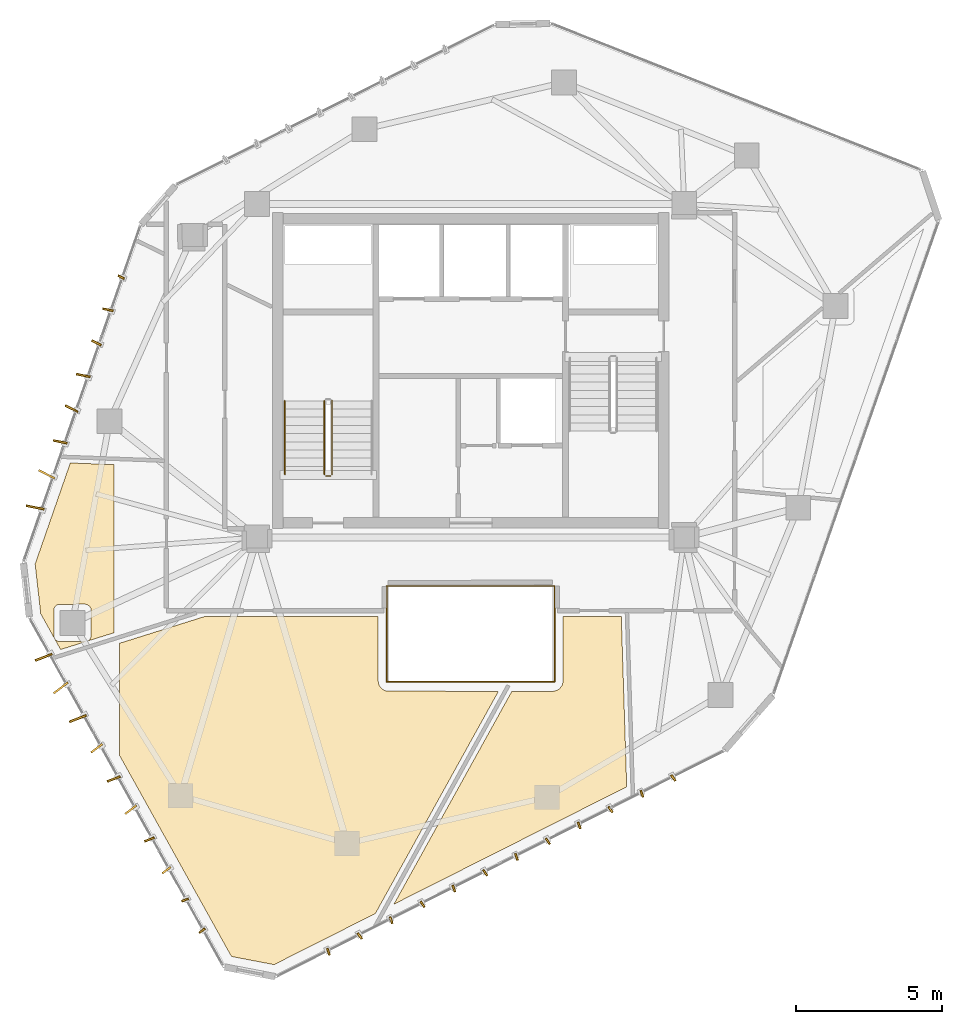
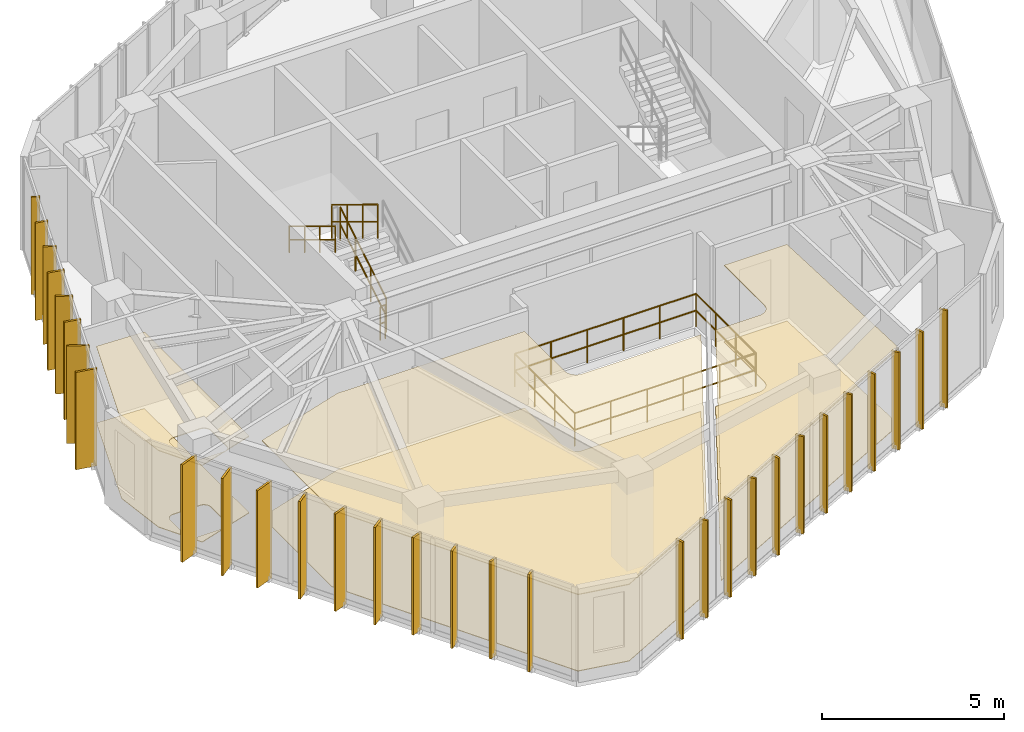
# One storey, part 20 of 21: 30 shading devices, 8 railings, 6 coverings.
"""IFC4 building model written with IfcOpenShell, lengths in metres."""

from ifc_helpers import new_model, si_unit, direction, frame, origin, origin_2d, place, context, subcontext, project, spatial, polyline, rectangle, circle, outline, extrude, source, transform, mapped, material, layer, layer_set, type_object, type_shapes, element, save


model = new_model("IFC4")

# Units and contexts
model_context = context("Model", 3, precision=1e-05, world=origin(), true_north=direction((0.0, 1.0)))
body_context = subcontext(model_context, "Body", "Model", "MODEL_VIEW")
ifc_project = project(units=[si_unit("LENGTHUNIT", "METRE"), si_unit("AREAUNIT", "SQUARE_METRE"), si_unit("VOLUMEUNIT", "CUBIC_METRE"), si_unit("PLANEANGLEUNIT", "RADIAN"), si_unit("MASSUNIT", "GRAM", prefix="KILO")], contexts=[model_context])

# Site, building, storey
site_placement = place(None, origin())
site = spatial("IfcSite", under=ifc_project, at=site_placement, CompositionType="ELEMENT")
building_placement = place(site_placement, origin())
building = spatial("IfcBuilding", under=site, at=building_placement, Name="Talar Marvaseh", CompositionType="ELEMENT")
storey_placement = place(building_placement, frame((0.0, 0.0, 264.60009765625)))
storey = spatial("IfcBuildingStorey", under=building, at=storey_placement, Name="L70", CompositionType="ELEMENT", Elevation=264.60009765625)

# Railings
ifc_material_1 = material(Name="Stainless Steel Grade 316", Category="steel")
railing_type_1 = type_object("IfcRailingType", Name="Brushed Stainless Wall Pitch Handrail 900", PredefinedType="HANDRAIL", material=ifc_material_1)
railing_1_placement = place(storey_placement, frame((19.64990234375, 30.169921875, 1.869873046875)))
element("IfcRailing", 1, at=railing_1_placement, inside=storey, type_object=railing_type_1, Name="L70 ST-1 stair handrail 2", PredefinedType="HANDRAIL", context=body_context, shape_type="SweptSolid", body=[
    extrude(circle(Radius=0.02392578125, at=origin_2d()), frame((0.0, 0.0, 0.8759765625), z_axis=(0.0, -0.85478489116, 0.518982456201), x_axis=(1.0, 0.0, 0.0)), (0.0, 0.0, 1.0), 2.9482421875),
    extrude(circle(Radius=0.02392578125, at=origin_2d()), frame((0.0, 0.0, 0.42578125), z_axis=(0.0, -0.85478489116, 0.518982456201), x_axis=(1.0, 0.0, 0.0)), (0.0, 0.0, 1.0), 2.9482421875),
    extrude(circle(Radius=0.02099609375, at=origin_2d()), origin(), (0.0, 0.0, 1.0), 0.851806640625),
    extrude(circle(Radius=0.02099609375, at=origin_2d()), frame((0.0, -0.840087890625, 0.510009765625)), (0.0, 0.0, 1.0), 0.851806640625),
    extrude(circle(Radius=0.02099609375, at=origin_2d()), frame((0.0, -1.679931640625, 1.02001953125)), (0.0, 0.0, 1.0), 0.851806640625),
    extrude(circle(Radius=0.02099609375, at=origin_2d()), frame((0.0, -2.52001953125, 1.530029296875)), (0.0, 0.0, 1.0), 0.851806640625),
])
ifc_material_2 = material(Name="Tempered Clear Glass", Category="glass")
railing_type_2 = type_object("IfcRailingType", Name="Interior Atrium Edge Balustrade 1120", PredefinedType="BALUSTRADE", material=ifc_material_2)
railing_2_placement = place(storey_placement, frame((23.130615234375, 20.560302734375, 0.0)))
element("IfcRailing", 2, at=railing_2_placement, inside=storey, type_object=railing_type_2, Name="L70 Internal Daylight Atrium Balustrade 1", PredefinedType="BALUSTRADE", context=body_context, shape_type="SweptSolid", body=[
    extrude(circle(Radius=0.02392578125, at=origin_2d()), frame((0.0, 0.0, 1.09619140625), z_axis=(1.0, 0.0, 0.0), x_axis=(0.0, 1.0, 0.0)), (0.0, 0.0, 1.0), 5.73876953125),
    extrude(circle(Radius=0.02392578125, at=origin_2d()), frame((0.0, 0.0, 0.5361328125), z_axis=(1.0, 0.0, 0.0), x_axis=(0.0, 1.0, 0.0)), (0.0, 0.0, 1.0), 5.73876953125),
    extrude(circle(Radius=0.02099609375, at=origin_2d()), origin(), (0.0, 0.0, 1.0), 1.072021484375),
    extrude(circle(Radius=0.02099609375, at=origin_2d()), frame((1.147705078125, 0.0, 0.0)), (0.0, 0.0, 1.0), 1.072021484375),
    extrude(circle(Radius=0.02099609375, at=origin_2d()), frame((2.29541015625, 0.0, 0.0)), (0.0, 0.0, 1.0), 1.072021484375),
    extrude(circle(Radius=0.02099609375, at=origin_2d()), frame((3.443359375, 0.0, 0.0)), (0.0, 0.0, 1.0), 1.072021484375),
    extrude(circle(Radius=0.02099609375, at=origin_2d()), frame((4.591064453125, 0.0, 0.0)), (0.0, 0.0, 1.0), 1.072021484375),
    extrude(circle(Radius=0.02099609375, at=origin_2d()), frame((5.73876953125, 0.0, 0.0)), (0.0, 0.0, 1.0), 1.072021484375),
])
railing_3_placement = place(storey_placement, frame((28.869384765625, 20.560302734375, 0.0)))
element("IfcRailing", 3, at=railing_3_placement, inside=storey, type_object=railing_type_2, Name="L70 Internal Daylight Atrium Balustrade 2", PredefinedType="BALUSTRADE", context=body_context, shape_type="SweptSolid", body=[
    extrude(circle(Radius=0.02392578125, at=origin_2d()), frame((0.0, 0.0, 1.09619140625), z_axis=(0.0, 1.0, 0.0), x_axis=(-1.0, 0.0, 0.0)), (0.0, 0.0, 1.0), 3.279296875),
    extrude(circle(Radius=0.02392578125, at=origin_2d()), frame((0.0, 0.0, 0.5361328125), z_axis=(0.0, 1.0, 0.0), x_axis=(-1.0, 0.0, 0.0)), (0.0, 0.0, 1.0), 3.279296875),
    extrude(circle(Radius=0.02099609375, at=origin_2d()), origin(), (0.0, 0.0, 1.0), 1.072021484375),
    extrude(circle(Radius=0.02099609375, at=origin_2d()), frame((0.0, 1.093017578125, 0.0)), (0.0, 0.0, 1.0), 1.072021484375),
    extrude(circle(Radius=0.02099609375, at=origin_2d()), frame((0.0, 2.186279296875, 0.0)), (0.0, 0.0, 1.0), 1.072021484375),
    extrude(circle(Radius=0.02099609375, at=origin_2d()), frame((0.0, 3.279296875, 0.0)), (0.0, 0.0, 1.0), 1.072021484375),
])
railing_4_placement = place(storey_placement, frame((28.869384765625, 23.839599609375, 0.0)))
element("IfcRailing", 4, at=railing_4_placement, inside=storey, type_object=railing_type_2, Name="L70 Internal Daylight Atrium Balustrade 3", PredefinedType="BALUSTRADE", context=body_context, shape_type="SweptSolid", body=[
    extrude(circle(Radius=0.02392578125, at=origin_2d()), frame((0.0, 0.0, 1.09619140625), z_axis=(-1.0, 0.0, 0.0), x_axis=(0.0, -1.0, 0.0)), (0.0, 0.0, 1.0), 5.73876953125),
    extrude(circle(Radius=0.02392578125, at=origin_2d()), frame((0.0, 0.0, 0.5361328125), z_axis=(-1.0, 0.0, 0.0), x_axis=(0.0, -1.0, 0.0)), (0.0, 0.0, 1.0), 5.73876953125),
    extrude(circle(Radius=0.02099609375, at=origin_2d()), origin(), (0.0, 0.0, 1.0), 1.072021484375),
    extrude(circle(Radius=0.02099609375, at=origin_2d()), frame((-1.147705078125, 0.0, 0.0)), (0.0, 0.0, 1.0), 1.072021484375),
    extrude(circle(Radius=0.02099609375, at=origin_2d()), frame((-2.29541015625, 0.0, 0.0)), (0.0, 0.0, 1.0), 1.072021484375),
    extrude(circle(Radius=0.02099609375, at=origin_2d()), frame((-3.443359375, 0.0, 0.0)), (0.0, 0.0, 1.0), 1.072021484375),
    extrude(circle(Radius=0.02099609375, at=origin_2d()), frame((-4.591064453125, 0.0, 0.0)), (0.0, 0.0, 1.0), 1.072021484375),
    extrude(circle(Radius=0.02099609375, at=origin_2d()), frame((-5.73876953125, 0.0, 0.0)), (0.0, 0.0, 1.0), 1.072021484375),
])
railing_5_placement = place(storey_placement, frame((23.130615234375, 23.839599609375, 0.0)))
element("IfcRailing", 5, at=railing_5_placement, inside=storey, type_object=railing_type_2, Name="L70 Internal Daylight Atrium Balustrade 4", PredefinedType="BALUSTRADE", context=body_context, shape_type="SweptSolid", body=[
    extrude(circle(Radius=0.02392578125, at=origin_2d()), frame((0.0, 0.0, 1.09619140625), z_axis=(0.0, -1.0, 0.0), x_axis=(1.0, 0.0, 0.0)), (0.0, 0.0, 1.0), 3.279296875),
    extrude(circle(Radius=0.02392578125, at=origin_2d()), frame((0.0, 0.0, 0.5361328125), z_axis=(0.0, -1.0, 0.0), x_axis=(1.0, 0.0, 0.0)), (0.0, 0.0, 1.0), 3.279296875),
    extrude(circle(Radius=0.02099609375, at=origin_2d()), origin(), (0.0, 0.0, 1.0), 1.072021484375),
    extrude(circle(Radius=0.02099609375, at=origin_2d()), frame((0.0, -1.093017578125, 0.0)), (0.0, 0.0, 1.0), 1.072021484375),
    extrude(circle(Radius=0.02099609375, at=origin_2d()), frame((0.0, -2.186279296875, 0.0)), (0.0, 0.0, 1.0), 1.072021484375),
    extrude(circle(Radius=0.02099609375, at=origin_2d()), frame((0.0, -3.279296875, 0.0)), (0.0, 0.0, 1.0), 1.072021484375),
])
railing_type_3 = type_object("IfcRailingType", Name="Painted Steel Core Stair Well Guardrail 1150", PredefinedType="GUARDRAIL", material=ifc_material_1)
railing_6_placement = place(storey_placement, frame((21.260009765625, 27.64990234375, 0.169921875)))
element("IfcRailing", 6, at=railing_6_placement, inside=storey, type_object=railing_type_3, Name="L70 ST-1 stair guard 1", PredefinedType="GUARDRAIL", context=body_context, shape_type="SweptSolid", body=[
    extrude(circle(Radius=0.02392578125, at=origin_2d()), frame((0.0, 0.0, 1.1259765625), z_axis=(0.0, 0.85478489116, 0.518982456201), x_axis=(-1.0, 0.0, 0.0)), (0.0, 0.0, 1.0), 2.9482421875),
    extrude(circle(Radius=0.02392578125, at=origin_2d()), frame((0.0, 0.0, 0.55078125), z_axis=(0.0, 0.85478489116, 0.518982456201), x_axis=(-1.0, 0.0, 0.0)), (0.0, 0.0, 1.0), 2.9482421875),
    extrude(circle(Radius=0.02099609375, at=origin_2d()), origin(), (0.0, 0.0, 1.0), 1.101806640625),
    extrude(circle(Radius=0.02099609375, at=origin_2d()), frame((0.0, 0.840087890625, 0.510009765625)), (0.0, 0.0, 1.0), 1.101806640625),
    extrude(circle(Radius=0.02099609375, at=origin_2d()), frame((0.0, 1.679931640625, 1.02001953125)), (0.0, 0.0, 1.0), 1.101806640625),
    extrude(circle(Radius=0.02099609375, at=origin_2d()), frame((0.0, 2.52001953125, 1.530029296875)), (0.0, 0.0, 1.0), 1.101806640625),
])
railing_7_placement = place(storey_placement, frame((21.0, 30.169921875, 1.869873046875)))
element("IfcRailing", 7, at=railing_7_placement, inside=storey, type_object=railing_type_3, Name="L70 ST-1 stair guard 3", PredefinedType="GUARDRAIL", context=body_context, shape_type="SweptSolid", body=[
    extrude(circle(Radius=0.02392578125, at=origin_2d()), frame((0.0, 0.0, 1.1259765625), z_axis=(0.0, -0.85478489116, 0.518982456201), x_axis=(1.0, 0.0, 0.0)), (0.0, 0.0, 1.0), 2.9482421875),
    extrude(circle(Radius=0.02392578125, at=origin_2d()), frame((0.0, 0.0, 0.55078125), z_axis=(0.0, -0.85478489116, 0.518982456201), x_axis=(1.0, 0.0, 0.0)), (0.0, 0.0, 1.0), 2.9482421875),
    extrude(circle(Radius=0.02099609375, at=origin_2d()), origin(), (0.0, 0.0, 1.0), 1.101806640625),
    extrude(circle(Radius=0.02099609375, at=origin_2d()), frame((0.0, -0.840087890625, 0.510009765625)), (0.0, 0.0, 1.0), 1.101806640625),
    extrude(circle(Radius=0.02099609375, at=origin_2d()), frame((0.0, -1.679931640625, 1.02001953125)), (0.0, 0.0, 1.0), 1.101806640625),
    extrude(circle(Radius=0.02099609375, at=origin_2d()), frame((0.0, -2.52001953125, 1.530029296875)), (0.0, 0.0, 1.0), 1.101806640625),
])
railing_8_placement = place(storey_placement, frame((21.2099609375, 27.60009765625, 0.0)))
element("IfcRailing", 8, at=railing_8_placement, inside=storey, type_object=railing_type_3, Name="L70 ST-1 stair guard 4", PredefinedType="GUARDRAIL", context=body_context, shape_type="SweptSolid", body=[
    extrude(circle(Radius=0.02392578125, at=origin_2d()), frame((0.0, 0.0, 1.1259765625), z_axis=(-1.0, 0.0, 0.0), x_axis=(0.0, -1.0, 0.0)), (0.0, 0.0, 1.0), 0.159912109375),
    extrude(circle(Radius=0.02392578125, at=origin_2d()), frame((0.0, 0.0, 0.55078125), z_axis=(-1.0, 0.0, 0.0), x_axis=(0.0, -1.0, 0.0)), (0.0, 0.0, 1.0), 0.159912109375),
    extrude(circle(Radius=0.02099609375, at=origin_2d()), origin(), (0.0, 0.0, 1.0), 1.101806640625),
    extrude(circle(Radius=0.02099609375, at=origin_2d()), frame((-0.159912109375, 0.0, 0.0)), (0.0, 0.0, 1.0), 1.101806640625),
])

# Coverings
ifc_material_3 = material(Name="Mineral Fibre Acoustic Ceiling")
ifc_layer_1 = layer(ifc_material_3, 0.02490234375)
ifc_layer_set_1 = layer_set([ifc_layer_1], Name="Mineral Fibre Acoustic Ceiling")
covering_type_1 = type_object("IfcCoveringType", Name="Perforated Mineral Fibre Acoustic Suspended Ceiling", PredefinedType="CEILING", material=ifc_layer_set_1)
covering_1_placement = place(storey_placement, frame((0.0, 0.0, 2.559814453125)))
element("IfcCovering", 9, at=covering_1_placement, inside=storey, type_object=covering_type_1, Name="L70 Museum Publication Bookshop Acoustic Ceiling", PredefinedType="CEILING", context=body_context, shape_type="SweptSolid", body=[
    extrude(outline(polyline([(13.800048828125, 27.9873046875), (13.800048828125, 22.238525390625), (12.886962890625, 21.951416015625), (12.90087890625, 21.95654296875), (12.918701171875, 21.96484375), (12.935302734375, 21.974853515625), (12.951171875, 21.986572265625), (12.9658203125, 21.99951171875), (12.978759765625, 22.01416015625), (12.990478515625, 22.02978515625), (13.000732421875, 22.04638671875), (13.009033203125, 22.064208984375), (13.015869140625, 22.08251953125), (13.0205078125, 22.1015625), (13.0234375, 22.120849609375), (13.024658203125, 22.140380859375), (13.02880859375, 23.00244140625), (13.028076171875, 23.02099609375), (13.025634765625, 23.03955078125), (13.021484375, 23.057861328125), (13.015380859375, 23.075439453125), (13.008056640625, 23.092529296875), (12.998779296875, 23.10888671875), (12.98828125, 23.124267578125), (12.976318359375, 23.138671875), (12.963134765625, 23.151611328125), (12.9482421875, 23.165283203125), (12.93408203125, 23.177001953125), (12.918701171875, 23.1875), (12.902587890625, 23.1962890625), (12.885498046875, 23.203857421875), (12.867919921875, 23.209716796875), (12.849853515625, 23.2138671875), (12.83154296875, 23.21630859375), (12.81298828125, 23.217041015625), (11.952392578125, 23.212646484375), (11.932861328125, 23.21142578125), (11.91357421875, 23.20849609375), (11.89453125, 23.20361328125), (11.876220703125, 23.197021484375), (11.8583984375, 23.188720703125), (11.841796875, 23.178466796875), (11.826171875, 23.166748046875), (11.8115234375, 23.15380859375), (11.798583984375, 23.13916015625), (11.786865234375, 23.123291015625), (11.77685546875, 23.106689453125), (11.7685546875, 23.0888671875), (11.761962890625, 23.070556640625), (11.757080078125, 23.051513671875), (11.75439453125, 23.031982421875), (11.75341796875, 23.0126953125), (11.75341796875, 22.141357421875), (11.75439453125, 22.121826171875), (11.757080078125, 22.102294921875), (11.761962890625, 22.083251953125), (11.7685546875, 22.06494140625), (11.777099609375, 22.047119140625), (11.787109375, 22.0302734375), (11.798828125, 22.014404296875), (11.81201171875, 22.0), (11.826416015625, 21.98681640625), (11.84228515625, 21.97509765625), (11.859130859375, 21.965087890625), (11.876953125, 21.95654296875), (11.895263671875, 21.949951171875), (11.914306640625, 21.9453125), (11.933837890625, 21.9423828125), (11.953369140625, 21.94140625), (12.82470703125, 21.94140625), (12.843994140625, 21.9423828125), (12.863525390625, 21.9453125), (12.879638671875, 21.94921875), (11.9833984375, 21.66748046875), (11.302734375, 22.890625), (11.11279296875, 24.591064453125), (12.314697265625, 28.0458984375), (13.800048828125, 27.9873046875)])), origin(), (0.0, 0.0, 1.0), 0.025146484375),
])
covering_2_placement = place(storey_placement, frame((0.0, 0.0, 2.559814453125)))
element("IfcCovering", 10, at=covering_2_placement, inside=storey, type_object=covering_type_1, Name="L70 Curatorial Staff Control Room Acoustic Ceiling", PredefinedType="CEILING", context=body_context, shape_type="SweptSolid", body=[
    extrude(outline(polyline([(22.840087890625, 22.800048828125), (22.8408203125, 20.584228515625), (22.84228515625, 20.559814453125), (22.8466796875, 20.53564453125), (22.858154296875, 20.490234375), (22.863037109375, 20.4736328125), (22.869384765625, 20.457763671875), (22.876953125, 20.4423828125), (22.885986328125, 20.427490234375), (22.920654296875, 20.375732421875), (22.934326171875, 20.357421875), (22.9501953125, 20.341064453125), (22.9677734375, 20.326416015625), (23.00537109375, 20.29833984375), (23.021728515625, 20.287353515625), (23.0390625, 20.278076171875), (23.057373046875, 20.2705078125), (23.1015625, 20.2548828125), (23.123291015625, 20.248291015625), (23.14599609375, 20.244384765625), (23.168701171875, 20.2431640625), (26.950439453125, 20.240234375), (22.7421875, 12.642333984375), (19.27978515625, 10.896484375), (17.822509765625, 11.175048828125), (14.0, 18.0439453125), (14.0, 21.882080078125), (16.9189453125, 22.800048828125), (22.840087890625, 22.800048828125)])), origin(), (0.0, 0.0, 1.0), 0.025146484375),
])
covering_3_placement = place(storey_placement, frame((0.0, 0.0, 2.559814453125)))
element("IfcCovering", 11, at=covering_3_placement, inside=storey, type_object=covering_type_1, Name="L70 Artisan Craft Showroom Acoustic Ceiling", PredefinedType="CEILING", context=body_context, shape_type="SweptSolid", body=[
    extrude(outline(polyline([(28.838623046875, 20.2421875), (28.861083984375, 20.24609375), (28.883056640625, 20.25244140625), (28.956298828125, 20.27880859375), (28.974365234375, 20.2861328125), (28.99169921875, 20.29541015625), (29.008056640625, 20.306396484375), (29.023193359375, 20.31884765625), (29.037109375, 20.332763671875), (29.08935546875, 20.390380859375), (29.101806640625, 20.405517578125), (29.112548828125, 20.421875), (29.121826171875, 20.439208984375), (29.12939453125, 20.457275390625), (29.135009765625, 20.47607421875), (29.154052734375, 20.551513671875), (29.1572265625, 20.5673828125), (29.1591796875, 20.58349609375), (29.159912109375, 20.60009765625), (29.159912109375, 22.800048828125), (31.14892578125, 22.800048828125), (31.333984375, 16.974609375), (23.376708984375, 12.96240234375), (27.40771484375, 20.239990234375), (28.81591796875, 20.24072265625), (28.838623046875, 20.2421875)])), origin(), (0.0, 0.0, 1.0), 0.025146484375),
])
ifc_material_4 = material(Name="Porcelain Stoneware Tile", Category="masonry")
ifc_layer_2 = layer(ifc_material_4, 0.02001953125)
ifc_layer_set_2 = layer_set([ifc_layer_2], Name="Porcelain Stoneware Tile")
covering_type_2 = type_object("IfcCoveringType", Name="Polished Porcelain Stoneware Gallery Flooring", PredefinedType="FLOORING", material=ifc_layer_set_2)
covering_4_placement = place(storey_placement, origin())
element("IfcCovering", 12, at=covering_4_placement, inside=storey, type_object=covering_type_2, Name="L70 Museum Publication Bookshop Flooring", PredefinedType="FLOORING", context=body_context, shape_type="SweptSolid", body=[
    extrude(outline(polyline([(13.800048828125, 27.9873046875), (13.800048828125, 22.238525390625), (12.886962890625, 21.951416015625), (12.90087890625, 21.95654296875), (12.918701171875, 21.96484375), (12.935302734375, 21.974853515625), (12.951171875, 21.986572265625), (12.9658203125, 21.99951171875), (12.978759765625, 22.01416015625), (12.990478515625, 22.02978515625), (13.000732421875, 22.04638671875), (13.009033203125, 22.064208984375), (13.015869140625, 22.08251953125), (13.0205078125, 22.1015625), (13.0234375, 22.120849609375), (13.024658203125, 22.140380859375), (13.02880859375, 23.00244140625), (13.028076171875, 23.02099609375), (13.025634765625, 23.03955078125), (13.021484375, 23.057861328125), (13.015380859375, 23.075439453125), (13.008056640625, 23.092529296875), (12.998779296875, 23.10888671875), (12.98828125, 23.124267578125), (12.976318359375, 23.138671875), (12.963134765625, 23.151611328125), (12.9482421875, 23.165283203125), (12.93408203125, 23.177001953125), (12.918701171875, 23.1875), (12.902587890625, 23.1962890625), (12.885498046875, 23.203857421875), (12.867919921875, 23.209716796875), (12.849853515625, 23.2138671875), (12.83154296875, 23.21630859375), (12.81298828125, 23.217041015625), (11.952392578125, 23.212646484375), (11.932861328125, 23.21142578125), (11.91357421875, 23.20849609375), (11.89453125, 23.20361328125), (11.876220703125, 23.197021484375), (11.8583984375, 23.188720703125), (11.841796875, 23.178466796875), (11.826171875, 23.166748046875), (11.8115234375, 23.15380859375), (11.798583984375, 23.13916015625), (11.786865234375, 23.123291015625), (11.77685546875, 23.106689453125), (11.7685546875, 23.0888671875), (11.761962890625, 23.070556640625), (11.757080078125, 23.051513671875), (11.75439453125, 23.031982421875), (11.75341796875, 23.0126953125), (11.75341796875, 22.141357421875), (11.75439453125, 22.121826171875), (11.757080078125, 22.102294921875), (11.761962890625, 22.083251953125), (11.7685546875, 22.06494140625), (11.777099609375, 22.047119140625), (11.787109375, 22.0302734375), (11.798828125, 22.014404296875), (11.81201171875, 22.0), (11.826416015625, 21.98681640625), (11.84228515625, 21.97509765625), (11.859130859375, 21.965087890625), (11.876953125, 21.95654296875), (11.895263671875, 21.949951171875), (11.914306640625, 21.9453125), (11.933837890625, 21.9423828125), (11.953369140625, 21.94140625), (12.82470703125, 21.94140625), (12.843994140625, 21.9423828125), (12.863525390625, 21.9453125), (12.879638671875, 21.94921875), (11.9833984375, 21.66748046875), (11.302734375, 22.890625), (11.11279296875, 24.591064453125), (12.314697265625, 28.0458984375), (13.800048828125, 27.9873046875)])), origin(), (0.0, 0.0, 1.0), 0.02001953125),
])
covering_5_placement = place(storey_placement, origin())
element("IfcCovering", 13, at=covering_5_placement, inside=storey, type_object=covering_type_2, Name="L70 Curatorial Staff Control Room Flooring", PredefinedType="FLOORING", context=body_context, shape_type="SweptSolid", body=[
    extrude(outline(polyline([(22.840087890625, 22.800048828125), (22.8408203125, 20.584228515625), (22.84228515625, 20.559814453125), (22.8466796875, 20.53564453125), (22.858154296875, 20.490234375), (22.863037109375, 20.4736328125), (22.869384765625, 20.457763671875), (22.876953125, 20.4423828125), (22.885986328125, 20.427490234375), (22.920654296875, 20.375732421875), (22.934326171875, 20.357421875), (22.9501953125, 20.341064453125), (22.9677734375, 20.326416015625), (23.00537109375, 20.29833984375), (23.021728515625, 20.287353515625), (23.0390625, 20.278076171875), (23.057373046875, 20.2705078125), (23.1015625, 20.2548828125), (23.123291015625, 20.248291015625), (23.14599609375, 20.244384765625), (23.168701171875, 20.2431640625), (26.950439453125, 20.240234375), (22.7421875, 12.642333984375), (19.27978515625, 10.896484375), (17.822509765625, 11.175048828125), (14.0, 18.0439453125), (14.0, 21.882080078125), (16.9189453125, 22.800048828125), (22.840087890625, 22.800048828125)])), origin(), (0.0, 0.0, 1.0), 0.02001953125),
])
covering_6_placement = place(storey_placement, origin())
element("IfcCovering", 14, at=covering_6_placement, inside=storey, type_object=covering_type_2, Name="L70 Artisan Craft Showroom Flooring", PredefinedType="FLOORING", context=body_context, shape_type="SweptSolid", body=[
    extrude(outline(polyline([(28.838623046875, 20.2421875), (28.861083984375, 20.24609375), (28.883056640625, 20.25244140625), (28.956298828125, 20.27880859375), (28.974365234375, 20.2861328125), (28.99169921875, 20.29541015625), (29.008056640625, 20.306396484375), (29.023193359375, 20.31884765625), (29.037109375, 20.332763671875), (29.08935546875, 20.390380859375), (29.101806640625, 20.405517578125), (29.112548828125, 20.421875), (29.121826171875, 20.439208984375), (29.12939453125, 20.457275390625), (29.135009765625, 20.47607421875), (29.154052734375, 20.551513671875), (29.1572265625, 20.5673828125), (29.1591796875, 20.58349609375), (29.159912109375, 20.60009765625), (29.159912109375, 22.800048828125), (31.14892578125, 22.800048828125), (31.333984375, 16.974609375), (23.376708984375, 12.96240234375), (27.40771484375, 20.239990234375), (28.81591796875, 20.24072265625), (28.838623046875, 20.2421875)])), origin(), (0.0, 0.0, 1.0), 0.02001953125),
])

# Shading devices
ifc_material_5 = material(Name="Anodised Champagne Bronze Aluminium", Category="aluminium")
ifc_layer_3 = layer(ifc_material_5, 0.06494140625)
ifc_layer_set_3 = layer_set([ifc_layer_3], Name="Anodised Champagne Bronze Aluminium")
shading_device_type_1 = type_object("IfcShadingDeviceType", Name="Sawtooth Champagne Bronze Vertical Fin 240", PredefinedType="USERDEFINED", material=ifc_layer_set_3)
shared_shape_1 = source(origin(), body_context, "Body", "SweptSolid", [
    extrude(rectangle(XDim=0.239990234375, YDim=0.06494140625, at=origin_2d()), origin(), (0.0, 0.0, 1.0), 3.260009765625),
])
type_shapes(shading_device_type_1, [shared_shape_1])
for number, where, z_axis, x_axis, name in (
    (15, (16.82177734375, 12.058349609375, -0.1201171875), (0.0, 0.0, 1.0), (-0.797583928825, -0.603207987745, 0.0), "L70 Sawtooth Vertical Solar Fin"),
    (16, (16.23828125, 13.10693359375, -0.1201171875), (0.0, 0.0, 1.0), (-0.932953534825, -0.35999680812, 0.0), "L70 Sawtooth Vertical Solar Fin"),
    (17, (14.052490234375, 34.3955078125, -0.1201171875), (0.0, 0.0, 1.0), (-0.889575876378, 0.456787434334, 0.0), "L70 Sawtooth Vertical Solar Fin"),
    (18, (32.92431640625, 17.2783203125, -0.1201171875), (0.0, 0.0, 1.0), (0.570140158358, -0.821547442226, 0.0), "L70 Sawtooth Vertical Solar Fin"),
    (19, (31.852783203125, 16.738037109375, -0.1201171875), (0.0, 0.0, 1.0), (0.321604730892, -0.946874013303, 0.0), "L70 Sawtooth Vertical Solar Fin"),
    (20, (30.781494140625, 16.19775390625, -0.1201171875), (0.0, 0.0, 1.0), (0.570140158358, -0.821547442226, 0.0), "L70 Sawtooth Vertical Solar Fin"),
    (21, (29.7099609375, 15.657470703125, -0.1201171875), (0.0, 0.0, 1.0), (0.321604730892, -0.946874013303, 0.0), "L70 Sawtooth Vertical Solar Fin"),
    (22, (28.638427734375, 15.1171875, -0.1201171875), (0.0, 0.0, 1.0), (0.570140158358, -0.821547442226, 0.0), "L70 Sawtooth Vertical Solar Fin"),
    (23, (27.56689453125, 14.576904296875, -0.1201171875), (0.0, 0.0, 1.0), (0.321604730892, -0.946874013303, 0.0), "L70 Sawtooth Vertical Solar Fin"),
    (24, (26.49560546875, 14.03662109375, -0.1201171875), (0.0, 0.0, 1.0), (0.570140158358, -0.821547442226, 0.0), "L70 Sawtooth Vertical Solar Fin"),
    (25, (25.424072265625, 13.496337890625, -0.1201171875), (0.0, 0.0, 1.0), (0.321604730892, -0.946874013303, 0.0), "L70 Sawtooth Vertical Solar Fin"),
    (26, (24.3525390625, 12.9560546875, -0.1201171875), (0.0, 0.0, 1.0), (0.570140158358, -0.821547442226, 0.0), "L70 Sawtooth Vertical Solar Fin"),
    (27, (23.281005859375, 12.415771484375, -0.1201171875), (0.0, 0.0, 1.0), (0.321604730892, -0.946874013303, 0.0), "L70 Sawtooth Vertical Solar Fin"),
    (28, (22.20947265625, 11.87548828125, -0.1201171875), (0.0, 0.0, 1.0), (0.570140158358, -0.821547442226, 0.0), "L70 Sawtooth Vertical Solar Fin"),
    (29, (21.137939453125, 11.335205078125, -0.1201171875), (0.0, 0.0, 1.0), (0.321604730892, -0.946874013303, 0.0), "L70 Sawtooth Vertical Solar Fin"),
):
    element("IfcShadingDevice", number, at=place(storey_placement, frame(where, z_axis=z_axis, x_axis=x_axis)), inside=storey, type_object=shading_device_type_1, Name=name, ObjectType="FIN", PredefinedType="USERDEFINED", context=body_context, shape_type="MappedRepresentation", body=[
        mapped(shared_shape_1, transform((0.0, 0.0, 0.0), x_axis=(1.0, 0.0, 0.0), y_axis=(0.0, 1.0, 0.0), z_axis=(0.0, 0.0, 1.0), scale=1.0)),
    ])
ifc_layer_4 = layer(ifc_material_5, 0.06494140625)
ifc_layer_set_4 = layer_set([ifc_layer_4], Name="Anodised Champagne Bronze Aluminium")
shading_device_type_2 = type_object("IfcShadingDeviceType", Name="Sawtooth Champagne Bronze Vertical Fin 360", PredefinedType="USERDEFINED", material=ifc_layer_set_4)
shared_shape_2 = source(origin(), body_context, "Body", "SweptSolid", [
    extrude(rectangle(XDim=0.360107421875, YDim=0.06494140625, at=origin_2d()), origin(), (0.0, 0.0, 1.0), 3.260009765625),
])
type_shapes(shading_device_type_2, [shared_shape_2])
for number, where, z_axis, x_axis, name in (
    (30, (15.602294921875, 14.126220703125, -0.1201171875), (0.0, 0.0, 1.0), (-0.797583928825, -0.603207987745, 0.0), "L70 Sawtooth Vertical Solar Fin"),
    (31, (15.018798828125, 15.1748046875, -0.1201171875), (0.0, 0.0, 1.0), (-0.932953534825, -0.35999680812, 0.0), "L70 Sawtooth Vertical Solar Fin"),
    (32, (13.207275390625, 32.1484375, -0.1201171875), (0.0, 0.0, 1.0), (-0.889575876378, 0.456787434334, 0.0), "L70 Sawtooth Vertical Solar Fin"),
    (33, (13.6015625, 33.28173828125, -0.1201171875), (0.0, 0.0, 1.0), (-0.981022896164, 0.193891921448, 0.0), "L70 Sawtooth Vertical Solar Fin"),
):
    element("IfcShadingDevice", number, at=place(storey_placement, frame(where, z_axis=z_axis, x_axis=x_axis)), inside=storey, type_object=shading_device_type_2, Name=name, ObjectType="FIN", PredefinedType="USERDEFINED", context=body_context, shape_type="MappedRepresentation", body=[
        mapped(shared_shape_2, transform((0.0, 0.0, 0.0), x_axis=(1.0, 0.0, 0.0), y_axis=(0.0, 1.0, 0.0), z_axis=(0.0, 0.0, 1.0), scale=1.0)),
    ])
ifc_layer_5 = layer(ifc_material_5, 0.06494140625)
ifc_layer_set_5 = layer_set([ifc_layer_5], Name="Anodised Champagne Bronze Aluminium")
shading_device_type_3 = type_object("IfcShadingDeviceType", Name="Sawtooth Champagne Bronze Vertical Fin 480", PredefinedType="USERDEFINED", material=ifc_layer_set_5)
shared_shape_3 = source(origin(), body_context, "Body", "SweptSolid", [
    extrude(rectangle(XDim=0.47998046875, YDim=0.06494140625, at=origin_2d()), origin(), (0.0, 0.0, 1.0), 3.260009765625),
])
type_shapes(shading_device_type_3, [shared_shape_3])
for number, where, z_axis, x_axis, name in (
    (34, (14.3828125, 16.1943359375, -0.1201171875), (0.0, 0.0, 1.0), (-0.797583928825, -0.603207987745, 0.0), "L70 Sawtooth Vertical Solar Fin"),
    (35, (13.79931640625, 17.242919921875, -0.1201171875), (0.0, 0.0, 1.0), (-0.932953534825, -0.35999680812, 0.0), "L70 Sawtooth Vertical Solar Fin"),
    (36, (13.2158203125, 18.29150390625, -0.1201171875), (0.0, 0.0, 1.0), (-0.797583928825, -0.603207987745, 0.0), "L70 Sawtooth Vertical Solar Fin"),
    (37, (11.9677734375, 28.76806640625, -0.1201171875), (0.0, 0.0, 1.0), (-0.981022896164, 0.193891921448, 0.0), "L70 Sawtooth Vertical Solar Fin"),
    (38, (12.362060546875, 29.9013671875, -0.1201171875), (0.0, 0.0, 1.0), (-0.889575876378, 0.456787434334, 0.0), "L70 Sawtooth Vertical Solar Fin"),
    (39, (12.75634765625, 31.034912109375, -0.1201171875), (0.0, 0.0, 1.0), (-0.981022896164, 0.193891921448, 0.0), "L70 Sawtooth Vertical Solar Fin"),
):
    element("IfcShadingDevice", number, at=place(storey_placement, frame(where, z_axis=z_axis, x_axis=x_axis)), inside=storey, type_object=shading_device_type_3, Name=name, ObjectType="FIN", PredefinedType="USERDEFINED", context=body_context, shape_type="MappedRepresentation", body=[
        mapped(shared_shape_3, transform((0.0, 0.0, 0.0), x_axis=(1.0, 0.0, 0.0), y_axis=(0.0, 1.0, 0.0), z_axis=(0.0, 0.0, 1.0), scale=1.0)),
    ])
ifc_layer_6 = layer(ifc_material_5, 0.06494140625)
ifc_layer_set_6 = layer_set([ifc_layer_6], Name="Anodised Champagne Bronze Aluminium")
shading_device_type_4 = type_object("IfcShadingDeviceType", Name="Sawtooth Champagne Bronze Vertical Fin 620", PredefinedType="USERDEFINED", material=ifc_layer_set_6)
shared_shape_4 = source(origin(), body_context, "Body", "SweptSolid", [
    extrude(rectangle(XDim=0.6201171875, YDim=0.06494140625, at=origin_2d()), origin(), (0.0, 0.0, 1.0), 3.260009765625),
])
type_shapes(shading_device_type_4, [shared_shape_4])
for number, where, z_axis, x_axis, name in (
    (40, (12.571044921875, 19.305908203125, -0.1201171875), (0.0, 0.0, 1.0), (-0.932953534825, -0.35999680812, 0.0), "L70 Sawtooth Vertical Solar Fin"),
    (41, (11.987548828125, 20.3544921875, -0.1201171875), (0.0, 0.0, 1.0), (-0.797583928825, -0.603207987745, 0.0), "L70 Sawtooth Vertical Solar Fin"),
    (42, (11.404052734375, 21.403076171875, -0.1201171875), (0.0, 0.0, 1.0), (-0.932953534825, -0.35999680812, 0.0), "L70 Sawtooth Vertical Solar Fin"),
    (43, (11.113037109375, 26.5244140625, -0.1201171875), (0.0, 0.0, 1.0), (-0.981022896164, 0.193891921448, 0.0), "L70 Sawtooth Vertical Solar Fin"),
    (44, (11.50732421875, 27.65771484375, -0.1201171875), (0.0, 0.0, 1.0), (-0.889575876378, 0.456787434334, 0.0), "L70 Sawtooth Vertical Solar Fin"),
):
    element("IfcShadingDevice", number, at=place(storey_placement, frame(where, z_axis=z_axis, x_axis=x_axis)), inside=storey, type_object=shading_device_type_4, Name=name, ObjectType="FIN", PredefinedType="USERDEFINED", context=body_context, shape_type="MappedRepresentation", body=[
        mapped(shared_shape_4, transform((0.0, 0.0, 0.0), x_axis=(1.0, 0.0, 0.0), y_axis=(0.0, 1.0, 0.0), z_axis=(0.0, 0.0, 1.0), scale=1.0)),
    ])

save(model, "model.ifc")
